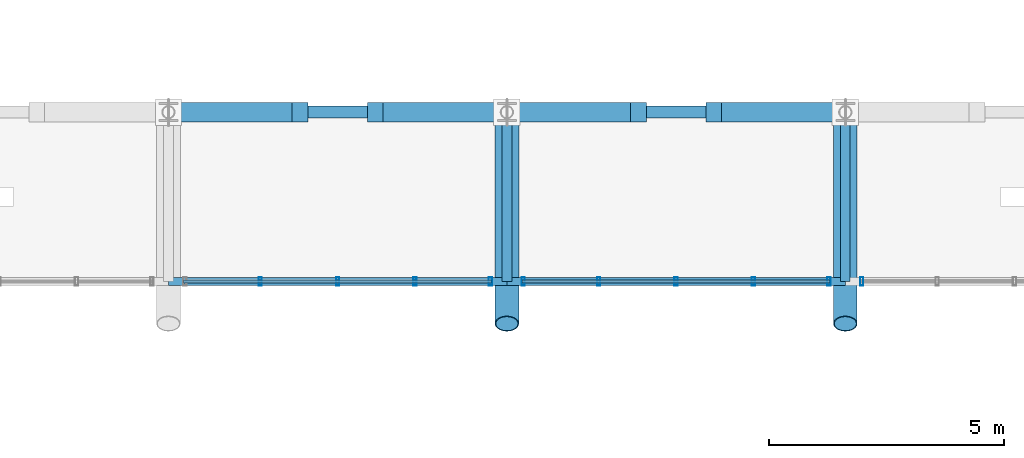
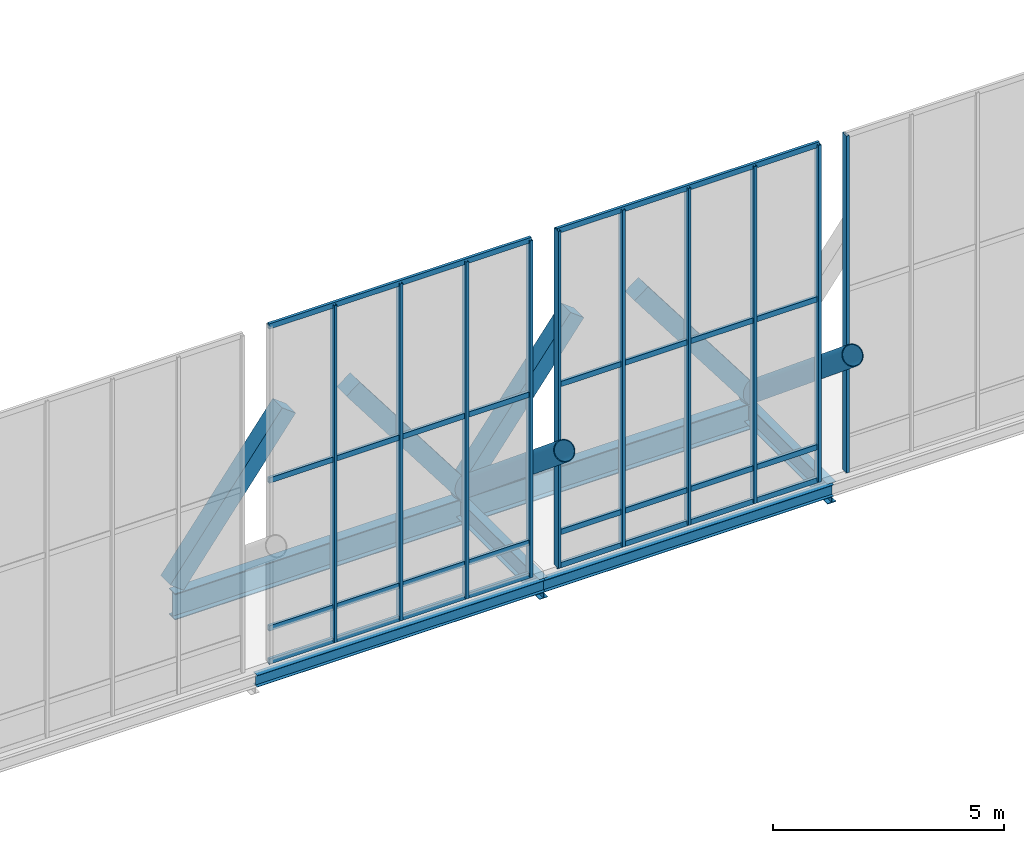
# One storey, part 41 of 102: 24 members, 6 beams, 3 elements without a shape of their own.
"""IFC4 building model written with IfcOpenShell, lengths in metres."""

from ifc_helpers import new_model, si_unit, direction, frame, origin, origin_2d, place, context, subcontext, project, spatial, rectangle, hollow_rectangle, hollow_circle, i_section, extrude, material, material_profile, profile_set, type_object, element, aggregate, save


model = new_model("IFC4")

# Units and contexts
model_context = context("Model", 3, precision=1e-05, world=origin(), true_north=direction((0.0, 1.0)))
body_context = subcontext(model_context, "Body", "Model", "MODEL_VIEW")
ifc_project = project(units=[si_unit("LENGTHUNIT", "METRE"), si_unit("AREAUNIT", "SQUARE_METRE"), si_unit("VOLUMEUNIT", "CUBIC_METRE"), si_unit("PLANEANGLEUNIT", "RADIAN"), si_unit("MASSUNIT", "GRAM", prefix="KILO")], contexts=[model_context])

# Site, building, storey
site_placement = place(None, origin())
site = spatial("IfcSite", under=ifc_project, at=site_placement, CompositionType="ELEMENT")
building_placement = place(site_placement, origin())
building = spatial("IfcBuilding", under=site, at=building_placement, Name="Yarey Park Central Fire Station", CompositionType="ELEMENT")
storey_placement = place(building_placement, frame((0.0, 0.0, 6.0)))
storey = spatial("IfcBuildingStorey", under=building, at=storey_placement, Name="L02", CompositionType="ELEMENT", Elevation=6.0)

# Curtain wall, members
ifc_material_1 = material(Name="Anodized Aluminium Frame", Category="aluminium")
curtain_wall_type = type_object("IfcCurtainWallType", Name="ENV_CW_CLER_9M", PredefinedType="NOTDEFINED", material=ifc_material_1)
curtain_wall_1_placement = place(storey_placement, origin())
curtain_wall_1 = element("IfcCurtainWall", 1, at=curtain_wall_1_placement, inside=storey, type_object=curtain_wall_type, Name="CW_V2_CLER_N_03", PredefinedType="NOTDEFINED")
ifc_material_profile_1 = material_profile(ifc_material_1, hollow_rectangle(XDim=0.070068359375, YDim=0.179931640625, WallThickness=0.00390625, at=origin_2d()), Name="ALU 180x70x4")
ifc_profile_set_1 = profile_set([ifc_material_profile_1], Name="Anodized Aluminium Frame")
member_type_1 = type_object("IfcMemberType", Name="ENV_CW_MULLION", PredefinedType="MULLION", material=ifc_profile_set_1)
member_1_placement = place(storey_placement, frame((78.85009765625, 90.0, 0.0), z_axis=(0.0, 0.0, 1.0), x_axis=(1.0, 0.0, 0.0)))
member_1 = element("IfcMember", 2, at=member_1_placement, type_object=member_type_1, Name="CW_V2_CLER_N_03_MUL1", PredefinedType="MULLION", context=body_context, shape_type="SweptSolid", body=[
    extrude(hollow_rectangle(XDim=0.070068359375, YDim=0.179931640625, WallThickness=0.00390625, at=origin_2d()), origin(), (0.0, 0.0, 1.0), 8.89990234375),
])
member_2_placement = place(storey_placement, frame((77.2451171875, 90.0, 0.0), z_axis=(0.0, 0.0, 1.0), x_axis=(1.0, 0.0, 0.0)))
member_2 = element("IfcMember", 3, at=member_2_placement, type_object=member_type_1, Name="CW_V2_CLER_N_03_MUL2", PredefinedType="MULLION", context=body_context, shape_type="SweptSolid", body=[
    extrude(hollow_rectangle(XDim=0.070068359375, YDim=0.179931640625, WallThickness=0.00390625, at=origin_2d()), origin(), (0.0, 0.0, 1.0), 8.89990234375),
])
member_3_placement = place(storey_placement, frame((75.60009765625, 90.0, 0.0), z_axis=(0.0, 0.0, 1.0), x_axis=(1.0, 0.0, 0.0)))
member_3 = element("IfcMember", 4, at=member_3_placement, type_object=member_type_1, Name="CW_V2_CLER_N_03_MUL3", PredefinedType="MULLION", context=body_context, shape_type="SweptSolid", body=[
    extrude(hollow_rectangle(XDim=0.070068359375, YDim=0.179931640625, WallThickness=0.00390625, at=origin_2d()), origin(), (0.0, 0.0, 1.0), 8.89990234375),
])
member_4_placement = place(storey_placement, frame((73.955078125, 90.0, 0.0), z_axis=(0.0, 0.0, 1.0), x_axis=(1.0, 0.0, 0.0)))
member_4 = element("IfcMember", 5, at=member_4_placement, type_object=member_type_1, Name="CW_V2_CLER_N_03_MUL4", PredefinedType="MULLION", context=body_context, shape_type="SweptSolid", body=[
    extrude(hollow_rectangle(XDim=0.070068359375, YDim=0.179931640625, WallThickness=0.00390625, at=origin_2d()), origin(), (0.0, 0.0, 1.0), 8.89990234375),
])

curtain_wall_2_placement = place(storey_placement, origin())
curtain_wall_2 = element("IfcCurtainWall", 6, at=curtain_wall_2_placement, inside=storey, type_object=curtain_wall_type, Name="CW_V2_CLER_N_04", PredefinedType="NOTDEFINED")
member_5_placement = place(storey_placement, frame((86.050048828125, 90.0, 0.0), z_axis=(0.0, 0.0, 1.0), x_axis=(1.0, 0.0, 0.0)))
member_5 = element("IfcMember", 7, at=member_5_placement, type_object=member_type_1, Name="CW_V2_CLER_N_04_MUL1", PredefinedType="MULLION", context=body_context, shape_type="SweptSolid", body=[
    extrude(hollow_rectangle(XDim=0.070068359375, YDim=0.179931640625, WallThickness=0.00390625, at=origin_2d()), origin(), (0.0, 0.0, 1.0), 8.89990234375),
])
member_6_placement = place(storey_placement, frame((84.445068359375, 90.0, 0.0), z_axis=(0.0, 0.0, 1.0), x_axis=(1.0, 0.0, 0.0)))
member_6 = element("IfcMember", 8, at=member_6_placement, type_object=member_type_1, Name="CW_V2_CLER_N_04_MUL2", PredefinedType="MULLION", context=body_context, shape_type="SweptSolid", body=[
    extrude(hollow_rectangle(XDim=0.070068359375, YDim=0.179931640625, WallThickness=0.00390625, at=origin_2d()), origin(), (0.0, 0.0, 1.0), 8.89990234375),
])
member_7_placement = place(storey_placement, frame((82.800048828125, 90.0, 0.0), z_axis=(0.0, 0.0, 1.0), x_axis=(1.0, 0.0, 0.0)))
member_7 = element("IfcMember", 9, at=member_7_placement, type_object=member_type_1, Name="CW_V2_CLER_N_04_MUL3", PredefinedType="MULLION", context=body_context, shape_type="SweptSolid", body=[
    extrude(hollow_rectangle(XDim=0.070068359375, YDim=0.179931640625, WallThickness=0.00390625, at=origin_2d()), origin(), (0.0, 0.0, 1.0), 8.89990234375),
])
member_8_placement = place(storey_placement, frame((81.155029296875, 90.0, 0.0), z_axis=(0.0, 0.0, 1.0), x_axis=(1.0, 0.0, 0.0)))
member_8 = element("IfcMember", 10, at=member_8_placement, type_object=member_type_1, Name="CW_V2_CLER_N_04_MUL4", PredefinedType="MULLION", context=body_context, shape_type="SweptSolid", body=[
    extrude(hollow_rectangle(XDim=0.070068359375, YDim=0.179931640625, WallThickness=0.00390625, at=origin_2d()), origin(), (0.0, 0.0, 1.0), 8.89990234375),
])
member_9_placement = place(storey_placement, frame((79.550048828125, 90.0, 0.0), z_axis=(0.0, 0.0, 1.0), x_axis=(1.0, 0.0, 0.0)))
member_9 = element("IfcMember", 11, at=member_9_placement, type_object=member_type_1, Name="CW_V2_CLER_N_04_MUL5", PredefinedType="MULLION", context=body_context, shape_type="SweptSolid", body=[
    extrude(hollow_rectangle(XDim=0.070068359375, YDim=0.179931640625, WallThickness=0.00390625, at=origin_2d()), origin(), (0.0, 0.0, 1.0), 8.89990234375),
])

# Curtain wall, member
curtain_wall_3_placement = place(storey_placement, origin())
curtain_wall_3 = element("IfcCurtainWall", 12, at=curtain_wall_3_placement, inside=storey, type_object=curtain_wall_type, Name="CW_V2_CLER_N_05", PredefinedType="NOTDEFINED")
member_10_placement = place(storey_placement, frame((86.75, 90.0, 0.0), z_axis=(0.0, 0.0, 1.0), x_axis=(1.0, 0.0, 0.0)))
member_10 = element("IfcMember", 13, at=member_10_placement, type_object=member_type_1, Name="CW_V2_CLER_N_05_MUL5", PredefinedType="MULLION", context=body_context, shape_type="SweptSolid", body=[
    extrude(hollow_rectangle(XDim=0.070068359375, YDim=0.179931640625, WallThickness=0.00390625, at=origin_2d()), origin(), (0.0, 0.0, 1.0), 8.89990234375),
])
aggregate(curtain_wall_3, [member_10])

# Member
ifc_material_profile_2 = material_profile(ifc_material_1, hollow_rectangle(XDim=0.070068359375, YDim=0.139892578125, WallThickness=0.00390625, at=origin_2d()), Name="ALU 140x70x4")
ifc_profile_set_2 = profile_set([ifc_material_profile_2], Name="Anodized Aluminium Frame")
member_type_2 = type_object("IfcMemberType", Name="ENV_CW_TRANSOM", PredefinedType="USERDEFINED", material=ifc_profile_set_2)
member_11_placement = place(storey_placement, frame((78.875, 90.0, 0.02490234375), z_axis=(-1.0, 0.0, 0.0), x_axis=(0.0, -1.0, 0.0)))
member_11 = element("IfcMember", 14, at=member_11_placement, type_object=member_type_2, Name="CW_V2_CLER_N_03_TRN1", ObjectType="TRANSOM", PredefinedType="USERDEFINED", context=body_context, shape_type="SweptSolid", body=[
    extrude(hollow_rectangle(XDim=0.070068359375, YDim=0.139892578125, WallThickness=0.00390625, at=origin_2d()), origin(), (0.0, 0.0, 1.0), 6.550048828125),
])

member_12_placement = place(storey_placement, frame((78.875, 90.0, 0.89990234375), z_axis=(-1.0, 0.0, 0.0), x_axis=(0.0, -1.0, 0.0)))
member_12 = element("IfcMember", 15, at=member_12_placement, type_object=member_type_2, Name="CW_V2_CLER_N_03_TRN2", ObjectType="TRANSOM", PredefinedType="USERDEFINED", context=body_context, shape_type="SweptSolid", body=[
    extrude(hollow_rectangle(XDim=0.070068359375, YDim=0.139892578125, WallThickness=0.00390625, at=origin_2d()), origin(), (0.0, 0.0, 1.0), 6.550048828125),
])

member_13_placement = place(storey_placement, frame((78.875, 90.0, 4.805908203125), z_axis=(-1.0, 0.0, 0.0), x_axis=(0.0, -1.0, 0.0)))
member_13 = element("IfcMember", 16, at=member_13_placement, type_object=member_type_2, Name="CW_V2_CLER_N_03_TRN3", ObjectType="TRANSOM", PredefinedType="USERDEFINED", context=body_context, shape_type="SweptSolid", body=[
    extrude(hollow_rectangle(XDim=0.070068359375, YDim=0.139892578125, WallThickness=0.00390625, at=origin_2d()), origin(), (0.0, 0.0, 1.0), 6.550048828125),
])

member_14_placement = place(storey_placement, frame((78.875, 90.0, 8.875), z_axis=(-1.0, 0.0, 0.0), x_axis=(0.0, -1.0, 0.0)))
member_14 = element("IfcMember", 17, at=member_14_placement, type_object=member_type_2, Name="CW_V2_CLER_N_03_TRN4", ObjectType="TRANSOM", PredefinedType="USERDEFINED", context=body_context, shape_type="SweptSolid", body=[
    extrude(hollow_rectangle(XDim=0.070068359375, YDim=0.139892578125, WallThickness=0.00390625, at=origin_2d()), origin(), (0.0, 0.0, 1.0), 6.550048828125),
])

aggregate(curtain_wall_1, [member_1, member_2, member_3, member_4, member_11, member_12, member_13, member_14])

member_15_placement = place(storey_placement, frame((86.074951171875, 90.0, 0.02490234375), z_axis=(-1.0, 0.0, 0.0), x_axis=(0.0, -1.0, 0.0)))
member_15 = element("IfcMember", 18, at=member_15_placement, type_object=member_type_2, Name="CW_V2_CLER_N_04_TRN1", ObjectType="TRANSOM", PredefinedType="USERDEFINED", context=body_context, shape_type="SweptSolid", body=[
    extrude(hollow_rectangle(XDim=0.070068359375, YDim=0.139892578125, WallThickness=0.00390625, at=origin_2d()), origin(), (0.0, 0.0, 1.0), 6.550048828125),
])

member_16_placement = place(storey_placement, frame((86.074951171875, 90.0, 0.89990234375), z_axis=(-1.0, 0.0, 0.0), x_axis=(0.0, -1.0, 0.0)))
member_16 = element("IfcMember", 19, at=member_16_placement, type_object=member_type_2, Name="CW_V2_CLER_N_04_TRN2", ObjectType="TRANSOM", PredefinedType="USERDEFINED", context=body_context, shape_type="SweptSolid", body=[
    extrude(hollow_rectangle(XDim=0.070068359375, YDim=0.139892578125, WallThickness=0.00390625, at=origin_2d()), origin(), (0.0, 0.0, 1.0), 6.550048828125),
])

member_17_placement = place(storey_placement, frame((86.074951171875, 90.0, 4.805908203125), z_axis=(-1.0, 0.0, 0.0), x_axis=(0.0, -1.0, 0.0)))
member_17 = element("IfcMember", 20, at=member_17_placement, type_object=member_type_2, Name="CW_V2_CLER_N_04_TRN3", ObjectType="TRANSOM", PredefinedType="USERDEFINED", context=body_context, shape_type="SweptSolid", body=[
    extrude(hollow_rectangle(XDim=0.070068359375, YDim=0.139892578125, WallThickness=0.00390625, at=origin_2d()), origin(), (0.0, 0.0, 1.0), 6.550048828125),
])

member_18_placement = place(storey_placement, frame((86.074951171875, 90.0, 8.875), z_axis=(-1.0, 0.0, 0.0), x_axis=(0.0, -1.0, 0.0)))
member_18 = element("IfcMember", 21, at=member_18_placement, type_object=member_type_2, Name="CW_V2_CLER_N_04_TRN4", ObjectType="TRANSOM", PredefinedType="USERDEFINED", context=body_context, shape_type="SweptSolid", body=[
    extrude(hollow_rectangle(XDim=0.070068359375, YDim=0.139892578125, WallThickness=0.00390625, at=origin_2d()), origin(), (0.0, 0.0, 1.0), 6.550048828125),
])

aggregate(curtain_wall_2, [member_5, member_6, member_7, member_8, member_9, member_15, member_16, member_17, member_18])

# Beams
ifc_material_2 = material(Name="Steel ASTM A992 Gr. 50", Category="steel")
ifc_material_profile_3 = material_profile(ifc_material_2, i_section(OverallWidth=0.208984375, OverallDepth=0.532958984375, WebThickness=0.01025390625, FlangeThickness=0.015625, at=origin_2d()), Name="W530x92")
ifc_profile_set_3 = profile_set([ifc_material_profile_3], Name="Steel ASTM A992 Gr. 50")
beam_type_1 = type_object("IfcBeamType", Name="STR_BM_W530", PredefinedType="BEAM", material=ifc_profile_set_3)
for number, where, z_axis, x_axis, name in (
    (22, (79.199951171875, 90.0, -0.46142578125), (0.0, 1.0, 0.0), (-1.0, 0.0, 0.0), "EAVE RIB N 03"),
    (23, (86.39990234375, 90.0, -0.46142578125), (0.0, 1.0, 0.0), (-1.0, 0.0, 0.0), "EAVE RIB N 04"),
):
    element("IfcBeam", number, at=place(storey_placement, frame(where, z_axis=z_axis, x_axis=x_axis)), inside=storey, type_object=beam_type_1, Name=name, PredefinedType="BEAM", context=body_context, shape_type="SweptSolid", body=[
        extrude(i_section(OverallWidth=0.208984375, OverallDepth=0.532958984375, WebThickness=0.01025390625, FlangeThickness=0.015625, at=origin_2d()), origin(), (0.0, 0.0, 1.0), 3.60009765625),
    ])
ifc_material_profile_4 = material_profile(ifc_material_2, i_section(OverallWidth=0.256103515625, OverallDepth=0.693115234375, WebThickness=0.014404296875, FlangeThickness=0.023681640625, at=origin_2d()), Name="W690x170")
ifc_profile_set_4 = profile_set([ifc_material_profile_4], Name="Steel ASTM A992 Gr. 50")
beam_type_2 = type_object("IfcBeamType", Name="STR_BM_W690", PredefinedType="BEAM", material=ifc_profile_set_4)
for number, where, z_axis, x_axis, name in (
    (24, (72.0, 93.60009765625, -0.54150390625), (1.0, 0.0, 0.0), (0.0, 1.0, 0.0), "BMX L02 Y936 X720"),
    (25, (79.199951171875, 93.60009765625, -0.54150390625), (1.0, 0.0, 0.0), (0.0, 1.0, 0.0), "BMX L02 Y936 X792"),
):
    element("IfcBeam", number, at=place(storey_placement, frame(where, z_axis=z_axis, x_axis=x_axis)), inside=storey, type_object=beam_type_2, Name=name, PredefinedType="BEAM", context=body_context, shape_type="SweptSolid", body=[
        extrude(i_section(OverallWidth=0.256103515625, OverallDepth=0.693115234375, WebThickness=0.014404296875, FlangeThickness=0.023681640625, at=origin_2d()), origin(), (0.0, 0.0, 1.0), 7.199951171875),
    ])

# Members
ifc_material_3 = material(Name="Steel ASTM A500 Gr. C", Category="steel")
ifc_material_profile_5 = material_profile(ifc_material_3, hollow_circle(Radius=0.25390625, WallThickness=0.02001953125, at=origin_2d()), Name="CHS 508x20")
ifc_profile_set_5 = profile_set([ifc_material_profile_5], Name="Steel ASTM A500 Gr. C")
member_type_3 = type_object("IfcMemberType", Name="STR_CHORD_CHS508", PredefinedType="CHORD", material=ifc_profile_set_5)
for number, where, z_axis, x_axis, name in (
    (26, (79.199951171875, 89.10009765625, 3.71875), (0.0, 0.770847459396, -0.637019775473), (-1.0, 0.0, 0.0), "Arched Roof Truss ART_04 Bottom Chord 8"),
    (27, (86.39990234375, 89.10009765625, 3.71875), (0.0, 0.770847459396, -0.637019775473), (-1.0, 0.0, 0.0), "Arched Roof Truss ART_05 Bottom Chord 8"),
):
    element("IfcMember", number, at=place(storey_placement, frame(where, z_axis=z_axis, x_axis=x_axis)), inside=storey, type_object=member_type_3, Name=name, PredefinedType="CHORD", context=body_context, shape_type="SweptSolid", body=[
        extrude(hollow_circle(Radius=0.25390625, WallThickness=0.02001953125, at=origin_2d()), origin(), (0.0, 0.0, 1.0), 5.837646484375),
    ])

# Beams
ifc_material_profile_6 = material_profile(ifc_material_2, i_section(OverallWidth=0.1650390625, OverallDepth=0.31005859375, WebThickness=0.005859375, FlangeThickness=0.009765625, at=origin_2d()), Name="W310x39")
ifc_profile_set_6 = profile_set([ifc_material_profile_6], Name="Steel ASTM A992 Gr. 50")
beam_type_3 = type_object("IfcBeamType", Name="STR_SPN_W310", PredefinedType="SPANDREL", material=ifc_profile_set_6)
for number, where, z_axis, x_axis, name in (
    (28, (72.0, 90.0, -0.35009765625), (1.0, 0.0, 0.0), (0.0, 1.0, 0.0), "EAVE EDG N 02"),
    (29, (79.199951171875, 90.0, -0.35009765625), (1.0, 0.0, 0.0), (0.0, 1.0, 0.0), "EAVE EDG N 03"),
):
    element("IfcBeam", number, at=place(storey_placement, frame(where, z_axis=z_axis, x_axis=x_axis)), inside=storey, type_object=beam_type_3, Name=name, PredefinedType="SPANDREL", context=body_context, shape_type="SweptSolid", body=[
        extrude(i_section(OverallWidth=0.1650390625, OverallDepth=0.31005859375, WebThickness=0.005859375, FlangeThickness=0.009765625, at=origin_2d()), origin(), (0.0, 0.0, 1.0), 7.199951171875),
    ])

# Members
ifc_material_4 = material(Name="Glulam GL28h", Category="wood")
ifc_material_profile_7 = material_profile(ifc_material_4, rectangle(XDim=0.419921875, YDim=0.419921875, at=origin_2d()), Name="GL 420x420")
ifc_profile_set_7 = profile_set([ifc_material_profile_7], Name="Glulam GL28h")
member_type_4 = type_object("IfcMemberType", Name="STR_STRUT_GL420", PredefinedType="STRUT", material=ifc_profile_set_7)
for number, where, z_axis, x_axis, name in (
    (30, (72.0, 93.60009765625, 0.02001953125), (0.603454425048, 0.0, 0.797397489895), (0.0, 1.0, 0.0), "Raked Glulam Strut RGS-031"),
    (31, (79.199951171875, 93.60009765625, 0.02001953125), (0.603454425048, 0.0, 0.797397489895), (0.0, 1.0, 0.0), "Raked Glulam Strut RGS-035"),
    (32, (79.199951171875, 93.60009765625, 0.02001953125), (-0.603454425048, 0.0, 0.797397489895), (0.0, -1.0, 0.0), "Raked Glulam Strut RGS-036"),
):
    element("IfcMember", number, at=place(storey_placement, frame(where, z_axis=z_axis, x_axis=x_axis)), inside=storey, type_object=member_type_4, Name=name, PredefinedType="STRUT", context=body_context, shape_type="SweptSolid", body=[
        extrude(rectangle(XDim=0.419921875, YDim=0.419921875, at=origin_2d()), origin(), (0.0, 0.0, 1.0), 4.64013671875),
    ])
member_19_placement = place(storey_placement, frame((86.39990234375, 93.60009765625, 0.02001953125), z_axis=(-0.603420967868, 0.0, 0.797422808514), x_axis=(0.0, -1.0, 0.0)))
element("IfcMember", 33, at=member_19_placement, inside=storey, type_object=member_type_4, Name="Raked Glulam Strut RGS-040", PredefinedType="STRUT", context=body_context, shape_type="SweptSolid", body=[
    extrude(rectangle(XDim=0.419921875, YDim=0.419921875, at=origin_2d()), origin(), (0.0, 0.0, 1.0), 4.639892578125),
])

save(model, "model.ifc")
